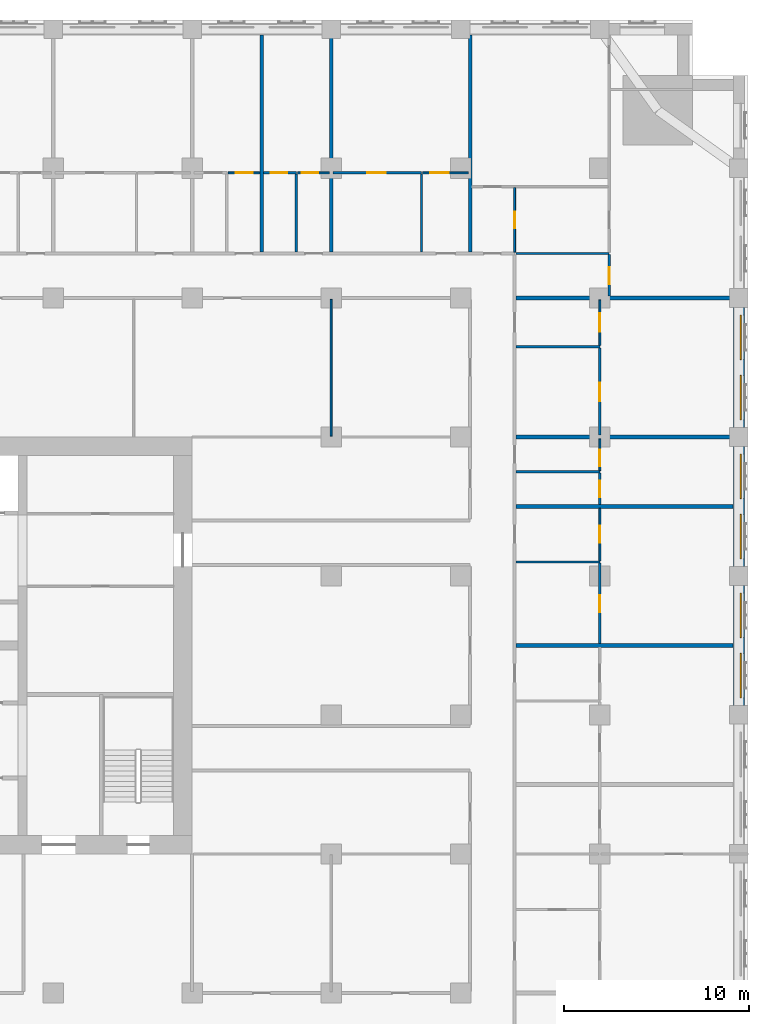
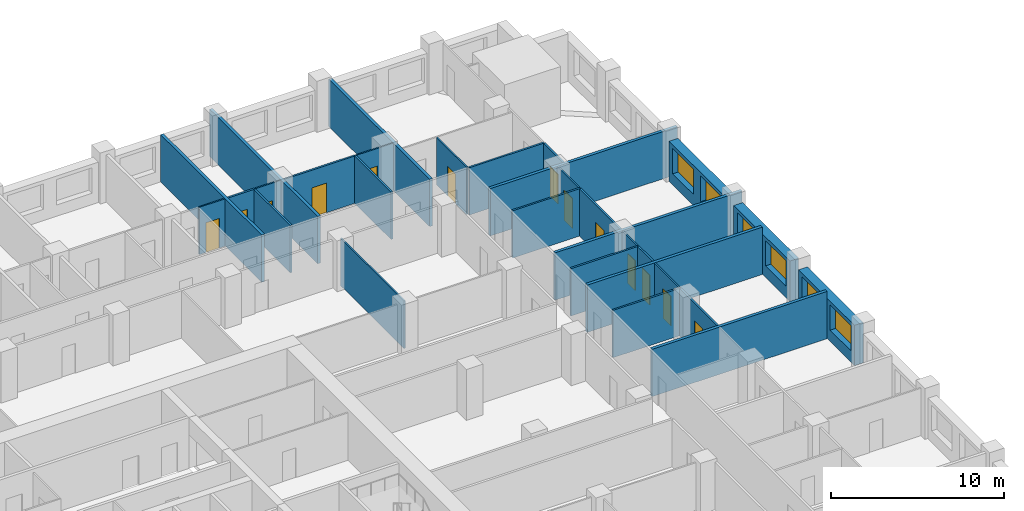
# One storey, part 10 of 14: 30 walls, 13 doors, 6 windows, 19 openings.
"""IFC4 building model written with IfcOpenShell, lengths in metres."""

from ifc_helpers import new_model, si_unit, direction, frame, frame_2d, origin, place, context, subcontext, project, spatial, rectangle, extrude, material, layer, layer_set, type_object, element, fill, save


model = new_model("IFC4")

# Units and contexts
model_context = context("Model", 3, precision=1e-05, world=origin(), true_north=direction((0.0, 1.0)))
body_context = subcontext(model_context, "Body", "Model", "MODEL_VIEW")
ifc_project = project(units=[si_unit("LENGTHUNIT", "METRE"), si_unit("AREAUNIT", "SQUARE_METRE"), si_unit("VOLUMEUNIT", "CUBIC_METRE"), si_unit("PLANEANGLEUNIT", "RADIAN"), si_unit("MASSUNIT", "GRAM", prefix="KILO")], contexts=[model_context])

# Site, building, storey
site_placement = place(None, origin())
site = spatial("IfcSite", under=ifc_project, at=site_placement, CompositionType="ELEMENT")
building_placement = place(site_placement, origin())
building = spatial("IfcBuilding", under=site, at=building_placement, Name="Tamorin Gate", CompositionType="ELEMENT")
storey_placement = place(building_placement, frame((0.0, 0.0, 107.89990234375)))
storey = spatial("IfcBuildingStorey", under=building, at=storey_placement, Name="L26", CompositionType="ELEMENT", Elevation=107.89990234375)

# Wall, openings, windows
ifc_material_1 = material(Name="Precast concrete C40/50", Category="concrete")
ifc_layer_1 = layer(ifc_material_1, 0.60009765625)
ifc_layer_set_1 = layer_set([ifc_layer_1], Name="Precast concrete C40/50")
wall_type_1 = type_object("IfcWallType", Name="Board-marked concrete facade panel 600", PredefinedType="SOLIDWALL", material=ifc_layer_set_1)
wall_1_placement = place(storey_placement, frame((89.5, 68.0, 0.0), z_axis=(0.0, 0.0, 1.0), x_axis=(0.0, 1.0, 0.0)))
wall_1 = element("IfcWall", 1, at=wall_1_placement, inside=storey, type_object=wall_type_1, Name="Facade panel", PredefinedType="SOLIDWALL", context=body_context, shape_type="SweptSolid", body=[
    extrude(rectangle(XDim=6.5, YDim=0.60009765625, at=frame_2d((3.25, 0.0))), origin(), (0.0, 0.0, 1.0), 2.85009765625),
])
opening_1_placement = place(wall_1_placement, frame((0.425048828125, 0.0, 0.800048828125)))
opening_1 = element("IfcOpeningElement", 2, at=opening_1_placement, cuts=wall_1, Name="Opening WN1", PredefinedType="OPENING", context=body_context, shape_type="SweptSolid", body=[
    extrude(rectangle(XDim=2.39990234375, YDim=1.800048828125, at=frame_2d((1.199951171875, 0.89990234375))), frame((0.0, 0.31005859375, 0.0), z_axis=(0.0, -1.0, 0.0), x_axis=(1.0, 0.0, 0.0)), (0.0, 0.0, 1.0), 0.6201171875),
])
opening_2_placement = place(wall_1_placement, frame((3.675048828125, 0.0, 0.800048828125)))
opening_2 = element("IfcOpeningElement", 3, at=opening_2_placement, cuts=wall_1, Name="Opening WN1", PredefinedType="OPENING", context=body_context, shape_type="SweptSolid", body=[
    extrude(rectangle(XDim=2.39990234375, YDim=1.800048828125, at=frame_2d((1.199951171875, 0.89990234375))), frame((0.0, 0.31005859375, 0.0), z_axis=(0.0, -1.0, 0.0), x_axis=(1.0, 0.0, 0.0)), (0.0, 0.0, 1.0), 0.6201171875),
])
ifc_material_2 = material(Name="Clear glass in aluminium frame", Category="aluminium")
window_type = type_object("IfcWindowType", Name="Deep-set window 2400x1800", PartitioningType="SINGLE_PANEL", PredefinedType="WINDOW", material=ifc_material_2)
window_1_placement = place(opening_1_placement, origin())
window_1 = element("IfcWindow", 4, at=window_1_placement, inside=storey, type_object=window_type, Name="Deep-set window", OverallHeight=1.800048828125, OverallWidth=2.39990234375, PartitioningType="SINGLE_PANEL", PredefinedType="WINDOW", context=body_context, shape_type="SweptSolid", body=[
    extrude(rectangle(XDim=2.39990234375, YDim=1.800048828125, at=frame_2d((1.199951171875, 0.89990234375))), frame((0.0, -0.070068359375, 0.0), z_axis=(0.0, -1.0, 0.0), x_axis=(1.0, 0.0, 0.0)), (0.0, 0.0, 1.0), 0.06005859375),
])
fill(opening_1, window_1)
window_2_placement = place(opening_2_placement, origin())
window_2 = element("IfcWindow", 5, at=window_2_placement, inside=storey, type_object=window_type, Name="Deep-set window", OverallHeight=1.800048828125, OverallWidth=2.39990234375, PartitioningType="SINGLE_PANEL", PredefinedType="WINDOW", context=body_context, shape_type="SweptSolid", body=[
    extrude(rectangle(XDim=2.39990234375, YDim=1.800048828125, at=frame_2d((1.199951171875, 0.89990234375))), frame((0.0, -0.070068359375, 0.0), z_axis=(0.0, -1.0, 0.0), x_axis=(1.0, 0.0, 0.0)), (0.0, 0.0, 1.0), 0.06005859375),
])
fill(opening_2, window_2)

wall_2_placement = place(storey_placement, frame((89.5, 75.5, 0.0), z_axis=(0.0, 0.0, 1.0), x_axis=(0.0, 1.0, 0.0)))
wall_2 = element("IfcWall", 6, at=wall_2_placement, inside=storey, type_object=wall_type_1, Name="Facade panel", PredefinedType="SOLIDWALL", context=body_context, shape_type="SweptSolid", body=[
    extrude(rectangle(XDim=6.5, YDim=0.60009765625, at=frame_2d((3.25, 0.0))), origin(), (0.0, 0.0, 1.0), 2.85009765625),
])
opening_3_placement = place(wall_2_placement, frame((0.425048828125, 0.0, 0.800048828125)))
opening_3 = element("IfcOpeningElement", 7, at=opening_3_placement, cuts=wall_2, Name="Opening WN1", PredefinedType="OPENING", context=body_context, shape_type="SweptSolid", body=[
    extrude(rectangle(XDim=2.39990234375, YDim=1.800048828125, at=frame_2d((1.199951171875, 0.89990234375))), frame((0.0, 0.31005859375, 0.0), z_axis=(0.0, -1.0, 0.0), x_axis=(1.0, 0.0, 0.0)), (0.0, 0.0, 1.0), 0.6201171875),
])
opening_4_placement = place(wall_2_placement, frame((3.675048828125, 0.0, 0.800048828125)))
opening_4 = element("IfcOpeningElement", 8, at=opening_4_placement, cuts=wall_2, Name="Opening WN1", PredefinedType="OPENING", context=body_context, shape_type="SweptSolid", body=[
    extrude(rectangle(XDim=2.39990234375, YDim=1.800048828125, at=frame_2d((1.199951171875, 0.89990234375))), frame((0.0, 0.31005859375, 0.0), z_axis=(0.0, -1.0, 0.0), x_axis=(1.0, 0.0, 0.0)), (0.0, 0.0, 1.0), 0.6201171875),
])
window_3_placement = place(opening_3_placement, origin())
window_3 = element("IfcWindow", 9, at=window_3_placement, inside=storey, type_object=window_type, Name="Deep-set window", OverallHeight=1.800048828125, OverallWidth=2.39990234375, PartitioningType="SINGLE_PANEL", PredefinedType="WINDOW", context=body_context, shape_type="SweptSolid", body=[
    extrude(rectangle(XDim=2.39990234375, YDim=1.800048828125, at=frame_2d((1.199951171875, 0.89990234375))), frame((0.0, -0.070068359375, 0.0), z_axis=(0.0, -1.0, 0.0), x_axis=(1.0, 0.0, 0.0)), (0.0, 0.0, 1.0), 0.06005859375),
])
fill(opening_3, window_3)
window_4_placement = place(opening_4_placement, origin())
window_4 = element("IfcWindow", 10, at=window_4_placement, inside=storey, type_object=window_type, Name="Deep-set window", OverallHeight=1.800048828125, OverallWidth=2.39990234375, PartitioningType="SINGLE_PANEL", PredefinedType="WINDOW", context=body_context, shape_type="SweptSolid", body=[
    extrude(rectangle(XDim=2.39990234375, YDim=1.800048828125, at=frame_2d((1.199951171875, 0.89990234375))), frame((0.0, -0.070068359375, 0.0), z_axis=(0.0, -1.0, 0.0), x_axis=(1.0, 0.0, 0.0)), (0.0, 0.0, 1.0), 0.06005859375),
])
fill(opening_4, window_4)

wall_3_placement = place(storey_placement, frame((89.5, 83.0, 0.0), z_axis=(0.0, 0.0, 1.0), x_axis=(0.0, 1.0, 0.0)))
wall_3 = element("IfcWall", 11, at=wall_3_placement, inside=storey, type_object=wall_type_1, Name="Facade panel", PredefinedType="SOLIDWALL", context=body_context, shape_type="SweptSolid", body=[
    extrude(rectangle(XDim=6.5, YDim=0.60009765625, at=frame_2d((3.25, 0.0))), origin(), (0.0, 0.0, 1.0), 2.85009765625),
])
opening_5_placement = place(wall_3_placement, frame((0.425048828125, 0.0, 0.800048828125)))
opening_5 = element("IfcOpeningElement", 12, at=opening_5_placement, cuts=wall_3, Name="Opening WN1", PredefinedType="OPENING", context=body_context, shape_type="SweptSolid", body=[
    extrude(rectangle(XDim=2.39990234375, YDim=1.800048828125, at=frame_2d((1.199951171875, 0.89990234375))), frame((0.0, 0.31005859375, 0.0), z_axis=(0.0, -1.0, 0.0), x_axis=(1.0, 0.0, 0.0)), (0.0, 0.0, 1.0), 0.6201171875),
])
opening_6_placement = place(wall_3_placement, frame((3.675048828125, 0.0, 0.800048828125)))
opening_6 = element("IfcOpeningElement", 13, at=opening_6_placement, cuts=wall_3, Name="Opening WN1", PredefinedType="OPENING", context=body_context, shape_type="SweptSolid", body=[
    extrude(rectangle(XDim=2.39990234375, YDim=1.800048828125, at=frame_2d((1.199951171875, 0.89990234375))), frame((0.0, 0.31005859375, 0.0), z_axis=(0.0, -1.0, 0.0), x_axis=(1.0, 0.0, 0.0)), (0.0, 0.0, 1.0), 0.6201171875),
])
window_5_placement = place(opening_5_placement, origin())
window_5 = element("IfcWindow", 14, at=window_5_placement, inside=storey, type_object=window_type, Name="Deep-set window", OverallHeight=1.800048828125, OverallWidth=2.39990234375, PartitioningType="SINGLE_PANEL", PredefinedType="WINDOW", context=body_context, shape_type="SweptSolid", body=[
    extrude(rectangle(XDim=2.39990234375, YDim=1.800048828125, at=frame_2d((1.199951171875, 0.89990234375))), frame((0.0, -0.070068359375, 0.0), z_axis=(0.0, -1.0, 0.0), x_axis=(1.0, 0.0, 0.0)), (0.0, 0.0, 1.0), 0.06005859375),
])
fill(opening_5, window_5)
window_6_placement = place(opening_6_placement, origin())
window_6 = element("IfcWindow", 15, at=window_6_placement, inside=storey, type_object=window_type, Name="Deep-set window", OverallHeight=1.800048828125, OverallWidth=2.39990234375, PartitioningType="SINGLE_PANEL", PredefinedType="WINDOW", context=body_context, shape_type="SweptSolid", body=[
    extrude(rectangle(XDim=2.39990234375, YDim=1.800048828125, at=frame_2d((1.199951171875, 0.89990234375))), frame((0.0, -0.070068359375, 0.0), z_axis=(0.0, -1.0, 0.0), x_axis=(1.0, 0.0, 0.0)), (0.0, 0.0, 1.0), 0.06005859375),
])
fill(opening_6, window_6)

# Walls
ifc_material_3 = material(Name="Gypsum board partition")
ifc_layer_2 = layer(ifc_material_3, 0.199951171875)
ifc_layer_set_2 = layer_set([ifc_layer_2], Name="Demising wall 200")
wall_type_2 = type_object("IfcWallType", Name="Demising wall 200", PredefinedType="PARTITIONING", material=ifc_layer_set_2)
for number, where, z_axis, x_axis, name in (
    (16, (77.47509765625, 71.25, 0.0), (0.0, 0.0, 1.0), (1.0, 0.0, 0.0), "Demising wall 200"),
    (17, (77.47509765625, 78.75, 0.0), (0.0, 0.0, 1.0), (1.0, 0.0, 0.0), "Demising wall 200"),
):
    element("IfcWall", number, at=place(storey_placement, frame(where, z_axis=z_axis, x_axis=x_axis)), inside=storey, type_object=wall_type_2, Name=name, PredefinedType="PARTITIONING", context=body_context, shape_type="SweptSolid", body=[
        extrude(rectangle(XDim=11.71484375, YDim=0.199951171875, at=frame_2d((5.857421875, 0.0))), origin(), (0.0, 0.0, 1.0), 3.35009765625),
    ])
for number, where, z_axis, x_axis, name in (
    (18, (77.47509765625, 82.5, 0.0), (0.0, 0.0, 1.0), (1.0, 0.0, 0.0), "Demising wall 200"),
    (19, (77.47509765625, 90.0, 0.0), (0.0, 0.0, 1.0), (1.0, 0.0, 0.0), "Demising wall 200"),
):
    element("IfcWall", number, at=place(storey_placement, frame(where, z_axis=z_axis, x_axis=x_axis)), inside=storey, type_object=wall_type_2, Name=name, PredefinedType="PARTITIONING", context=body_context, shape_type="SweptSolid", body=[
        extrude(rectangle(XDim=12.52490234375, YDim=0.199951171875, at=frame_2d((6.262451171875, 0.0))), origin(), (0.0, 0.0, 1.0), 3.35009765625),
    ])
wall_4_placement = place(storey_placement, frame((63.75, 92.47509765625, 0.0), z_axis=(0.0, 0.0, 1.0), x_axis=(0.0, 1.0, 0.0)))
element("IfcWall", 20, at=wall_4_placement, inside=storey, type_object=wall_type_2, Name="Demising wall 200", PredefinedType="PARTITIONING", context=body_context, shape_type="SweptSolid", body=[
    extrude(rectangle(XDim=11.71484375, YDim=0.199951171875, at=frame_2d((5.857421875, 0.0))), origin(), (0.0, 0.0, 1.0), 3.35009765625),
])
wall_5_placement = place(storey_placement, frame((67.5, 92.47509765625, 0.0), z_axis=(0.0, 0.0, 1.0), x_axis=(0.0, 1.0, 0.0)))
element("IfcWall", 21, at=wall_5_placement, inside=storey, type_object=wall_type_2, Name="Demising wall 200", PredefinedType="PARTITIONING", context=body_context, shape_type="SweptSolid", body=[
    extrude(rectangle(XDim=12.52490234375, YDim=0.199951171875, at=frame_2d((6.262451171875, 0.0))), origin(), (0.0, 0.0, 1.0), 3.35009765625),
])
wall_6_placement = place(storey_placement, frame((75.0, 92.47509765625, 0.0), z_axis=(0.0, 0.0, 1.0), x_axis=(0.0, 1.0, 0.0)))
element("IfcWall", 22, at=wall_6_placement, inside=storey, type_object=wall_type_2, Name="Demising wall 200", PredefinedType="PARTITIONING", context=body_context, shape_type="SweptSolid", body=[
    extrude(rectangle(XDim=11.71484375, YDim=0.199951171875, at=frame_2d((5.857421875, 0.0))), origin(), (0.0, 0.0, 1.0), 3.35009765625),
])

# Wall, opening, door
ifc_layer_3 = layer(ifc_material_3, 0.10009765625)
ifc_layer_set_3 = layer_set([ifc_layer_3], Name="Room partition 100")
wall_type_3 = type_object("IfcWallType", Name="Room partition 100", PredefinedType="PARTITIONING", material=ifc_layer_set_3)
wall_7_placement = place(storey_placement, frame((61.9375, 96.75, 0.0), z_axis=(0.0, 0.0, 1.0), x_axis=(1.0, 0.0, 0.0)))
wall_7 = element("IfcWall", 23, at=wall_7_placement, inside=storey, type_object=wall_type_3, Name="Room partition 100", PredefinedType="PARTITIONING", context=body_context, shape_type="SweptSolid", body=[
    extrude(rectangle(XDim=1.71240234375, YDim=0.10009765625, at=frame_2d((0.856201171875, 0.0))), origin(), (0.0, 0.0, 1.0), 3.35009765625),
])
opening_7_placement = place(wall_7_placement, frame((0.425048828125, 0.0, 0.0)))
opening_7 = element("IfcOpeningElement", 24, at=opening_7_placement, cuts=wall_7, Name="Opening DH5036", PredefinedType="OPENING", context=body_context, shape_type="SweptSolid", body=[
    extrude(rectangle(XDim=0.89990234375, YDim=2.10009765625, at=frame_2d((0.449951171875, 1.050048828125))), frame((0.0, 0.06005859375, 0.0), z_axis=(0.0, -1.0, 0.0), x_axis=(1.0, 0.0, 0.0)), (0.0, 0.0, 1.0), 0.1201171875),
])
ifc_material_4 = material(Name="Timber door leaf", Category="wood")
door_type_1 = type_object("IfcDoorType", Name="Door 900 x 2100", OperationType="NOTDEFINED", PredefinedType="DOOR", material=ifc_material_4)
door_1_placement = place(opening_7_placement, origin())
door_1 = element("IfcDoor", 25, at=door_1_placement, inside=storey, type_object=door_type_1, Name="Door DH5036", OperationType="SINGLE_SWING_RIGHT", OverallHeight=2.10009765625, OverallWidth=0.89990234375, PredefinedType="DOOR", context=body_context, shape_type="SweptSolid", body=[
    extrude(rectangle(XDim=0.89990234375, YDim=2.10009765625, at=frame_2d((0.449951171875, 1.050048828125))), frame((0.0, 0.02490234375, 0.0), z_axis=(0.0, -1.0, 0.0), x_axis=(1.0, 0.0, 0.0)), (0.0, 0.0, 1.0), 0.050048828125),
])
fill(opening_7, door_1)

wall_8_placement = place(storey_placement, frame((65.6875, 96.75, 0.0), z_axis=(0.0, 0.0, 1.0), x_axis=(1.0, 0.0, 0.0)))
wall_8 = element("IfcWall", 26, at=wall_8_placement, inside=storey, type_object=wall_type_3, Name="Room partition 100", PredefinedType="PARTITIONING", context=body_context, shape_type="SweptSolid", body=[
    extrude(rectangle(XDim=1.71240234375, YDim=0.10009765625, at=frame_2d((0.856201171875, 0.0))), origin(), (0.0, 0.0, 1.0), 3.35009765625),
])
opening_8_placement = place(wall_8_placement, frame((0.22509765625, 0.0, 0.0)))
opening_8 = element("IfcOpeningElement", 27, at=opening_8_placement, cuts=wall_8, Name="Opening DH5039", PredefinedType="OPENING", context=body_context, shape_type="SweptSolid", body=[
    extrude(rectangle(XDim=0.89990234375, YDim=2.10009765625, at=frame_2d((0.449951171875, 1.050048828125))), frame((0.0, 0.06005859375, 0.0), z_axis=(0.0, -1.0, 0.0), x_axis=(1.0, 0.0, 0.0)), (0.0, 0.0, 1.0), 0.1201171875),
])
door_2_placement = place(opening_8_placement, origin())
door_2 = element("IfcDoor", 28, at=door_2_placement, inside=storey, type_object=door_type_1, Name="Door DH5039", OperationType="SINGLE_SWING_RIGHT", OverallHeight=2.10009765625, OverallWidth=0.89990234375, PredefinedType="DOOR", context=body_context, shape_type="SweptSolid", body=[
    extrude(rectangle(XDim=0.89990234375, YDim=2.10009765625, at=frame_2d((0.449951171875, 1.050048828125))), frame((0.0, 0.02490234375, 0.0), z_axis=(0.0, -1.0, 0.0), x_axis=(1.0, 0.0, 0.0)), (0.0, 0.0, 1.0), 0.050048828125),
])
fill(opening_8, door_2)

wall_9_placement = place(storey_placement, frame((72.4375, 96.75, 0.0), z_axis=(0.0, 0.0, 1.0), x_axis=(1.0, 0.0, 0.0)))
wall_9 = element("IfcWall", 29, at=wall_9_placement, inside=storey, type_object=wall_type_3, Name="Room partition 100", PredefinedType="PARTITIONING", context=body_context, shape_type="SweptSolid", body=[
    extrude(rectangle(XDim=2.46240234375, YDim=0.10009765625, at=frame_2d((1.231201171875, 0.0))), origin(), (0.0, 0.0, 1.0), 3.35009765625),
])
opening_9_placement = place(wall_9_placement, frame((0.39990234375, 0.0, 0.0)))
opening_9 = element("IfcOpeningElement", 30, at=opening_9_placement, cuts=wall_9, Name="Opening DH5042", PredefinedType="OPENING", context=body_context, shape_type="SweptSolid", body=[
    extrude(rectangle(XDim=1.0, YDim=2.10009765625, at=frame_2d((0.5, 1.050048828125))), frame((0.0, 0.06005859375, 0.0), z_axis=(0.0, -1.0, 0.0), x_axis=(1.0, 0.0, 0.0)), (0.0, 0.0, 1.0), 0.1201171875),
])
door_type_2 = type_object("IfcDoorType", Name="Door 1000 x 2100", OperationType="NOTDEFINED", PredefinedType="DOOR", material=ifc_material_4)
door_3_placement = place(opening_9_placement, origin())
door_3 = element("IfcDoor", 31, at=door_3_placement, inside=storey, type_object=door_type_2, Name="Door DH5042", OperationType="SINGLE_SWING_RIGHT", OverallHeight=2.10009765625, OverallWidth=1.0, PredefinedType="DOOR", context=body_context, shape_type="SweptSolid", body=[
    extrude(rectangle(XDim=1.0, YDim=2.10009765625, at=frame_2d((0.5, 1.050048828125))), frame((0.0, 0.02490234375, 0.0), z_axis=(0.0, -1.0, 0.0), x_axis=(1.0, 0.0, 0.0)), (0.0, 0.0, 1.0), 0.050048828125),
])
fill(opening_9, door_3)

# Wall
wall_10_placement = place(storey_placement, frame((67.5, 82.550048828125, 0.0), z_axis=(0.0, 0.0, 1.0), x_axis=(0.0, 1.0, 0.0)))
element("IfcWall", 32, at=wall_10_placement, inside=storey, type_object=wall_type_3, Name="Room partition 100", PredefinedType="PARTITIONING", context=body_context, shape_type="SweptSolid", body=[
    extrude(rectangle(XDim=7.375, YDim=0.10009765625, at=frame_2d((3.6875, 0.0))), origin(), (0.0, 0.0, 1.0), 3.35009765625),
])

# Wall, opening, door
wall_11_placement = place(storey_placement, frame((77.39990234375, 92.47509765625, 0.0), z_axis=(0.0, 0.0, 1.0), x_axis=(0.0, 1.0, 0.0)))
wall_11 = element("IfcWall", 33, at=wall_11_placement, inside=storey, type_object=wall_type_3, Name="Room partition 100", PredefinedType="PARTITIONING", context=body_context, shape_type="SweptSolid", body=[
    extrude(rectangle(XDim=3.474853515625, YDim=0.10009765625, at=frame_2d((1.7373046875, 0.0))), origin(), (0.0, 0.0, 1.0), 3.35009765625),
])
opening_10_placement = place(wall_11_placement, frame((1.27490234375, 0.0, 0.0)))
opening_10 = element("IfcOpeningElement", 34, at=opening_10_placement, cuts=wall_11, Name="Opening DH5068", PredefinedType="OPENING", context=body_context, shape_type="SweptSolid", body=[
    extrude(rectangle(XDim=0.89990234375, YDim=2.10009765625, at=frame_2d((0.449951171875, 1.050048828125))), frame((0.0, 0.06005859375, 0.0), z_axis=(0.0, -1.0, 0.0), x_axis=(1.0, 0.0, 0.0)), (0.0, 0.0, 1.0), 0.1201171875),
])
door_4_placement = place(opening_10_placement, origin())
door_4 = element("IfcDoor", 35, at=door_4_placement, inside=storey, type_object=door_type_1, Name="Door DH5068", OperationType="SINGLE_SWING_RIGHT", OverallHeight=2.10009765625, OverallWidth=0.89990234375, PredefinedType="DOOR", context=body_context, shape_type="SweptSolid", body=[
    extrude(rectangle(XDim=0.89990234375, YDim=2.10009765625, at=frame_2d((0.449951171875, 1.050048828125))), frame((0.0, 0.02490234375, 0.0), z_axis=(0.0, -1.0, 0.0), x_axis=(1.0, 0.0, 0.0)), (0.0, 0.0, 1.0), 0.050048828125),
])
fill(opening_10, door_4)

wall_12_placement = place(storey_placement, frame((82.0, 75.8125, 0.0), z_axis=(0.0, 0.0, 1.0), x_axis=(0.0, 1.0, 0.0)))
wall_12 = element("IfcWall", 36, at=wall_12_placement, inside=storey, type_object=wall_type_3, Name="Room partition 100", PredefinedType="PARTITIONING", context=body_context, shape_type="SweptSolid", body=[
    extrude(rectangle(XDim=2.83740234375, YDim=0.10009765625, at=frame_2d((1.418701171875, 0.0))), origin(), (0.0, 0.0, 1.0), 3.35009765625),
])
opening_11_placement = place(wall_12_placement, frame((0.987548828125, 0.0, 0.0)))
opening_11 = element("IfcOpeningElement", 37, at=opening_11_placement, cuts=wall_12, Name="Opening DH5053", PredefinedType="OPENING", context=body_context, shape_type="SweptSolid", body=[
    extrude(rectangle(XDim=0.89990234375, YDim=2.10009765625, at=frame_2d((0.449951171875, 1.050048828125))), frame((0.0, 0.06005859375, 0.0), z_axis=(0.0, -1.0, 0.0), x_axis=(1.0, 0.0, 0.0)), (0.0, 0.0, 1.0), 0.1201171875),
])
door_5_placement = place(opening_11_placement, origin())
door_5 = element("IfcDoor", 38, at=door_5_placement, inside=storey, type_object=door_type_1, Name="Door DH5053", OperationType="SINGLE_SWING_LEFT", OverallHeight=2.10009765625, OverallWidth=0.89990234375, PredefinedType="DOOR", context=body_context, shape_type="SweptSolid", body=[
    extrude(rectangle(XDim=0.89990234375, YDim=2.10009765625, at=frame_2d((0.449951171875, 1.050048828125))), frame((0.0, 0.02490234375, 0.0), z_axis=(0.0, -1.0, 0.0), x_axis=(1.0, 0.0, 0.0)), (0.0, 0.0, 1.0), 0.050048828125),
])
fill(opening_11, door_5)

wall_13_placement = place(storey_placement, frame((82.0, 80.6875, 0.0), z_axis=(0.0, 0.0, 1.0), x_axis=(0.0, 1.0, 0.0)))
wall_13 = element("IfcWall", 39, at=wall_13_placement, inside=storey, type_object=wall_type_3, Name="Room partition 100", PredefinedType="PARTITIONING", context=body_context, shape_type="SweptSolid", body=[
    extrude(rectangle(XDim=1.71240234375, YDim=0.10009765625, at=frame_2d((0.856201171875, 0.0))), origin(), (0.0, 0.0, 1.0), 3.35009765625),
])
opening_12_placement = place(wall_13_placement, frame((0.22509765625, 0.0, 0.0)))
opening_12 = element("IfcOpeningElement", 40, at=opening_12_placement, cuts=wall_13, Name="Opening DH5056", PredefinedType="OPENING", context=body_context, shape_type="SweptSolid", body=[
    extrude(rectangle(XDim=0.89990234375, YDim=2.10009765625, at=frame_2d((0.449951171875, 1.050048828125))), frame((0.0, 0.06005859375, 0.0), z_axis=(0.0, -1.0, 0.0), x_axis=(1.0, 0.0, 0.0)), (0.0, 0.0, 1.0), 0.1201171875),
])
door_6_placement = place(opening_12_placement, origin())
door_6 = element("IfcDoor", 41, at=door_6_placement, inside=storey, type_object=door_type_1, Name="Door DH5056", OperationType="SINGLE_SWING_LEFT", OverallHeight=2.10009765625, OverallWidth=0.89990234375, PredefinedType="DOOR", context=body_context, shape_type="SweptSolid", body=[
    extrude(rectangle(XDim=0.89990234375, YDim=2.10009765625, at=frame_2d((0.449951171875, 1.050048828125))), frame((0.0, 0.02490234375, 0.0), z_axis=(0.0, -1.0, 0.0), x_axis=(1.0, 0.0, 0.0)), (0.0, 0.0, 1.0), 0.050048828125),
])
fill(opening_12, door_6)

wall_14_placement = place(storey_placement, frame((82.0, 87.4375, 0.0), z_axis=(0.0, 0.0, 1.0), x_axis=(0.0, 1.0, 0.0)))
wall_14 = element("IfcWall", 42, at=wall_14_placement, inside=storey, type_object=wall_type_3, Name="Room partition 100", PredefinedType="PARTITIONING", context=body_context, shape_type="SweptSolid", body=[
    extrude(rectangle(XDim=2.46240234375, YDim=0.10009765625, at=frame_2d((1.231201171875, 0.0))), origin(), (0.0, 0.0, 1.0), 3.35009765625),
])
opening_13_placement = place(wall_14_placement, frame((0.75, 0.0, 0.0)))
opening_13 = element("IfcOpeningElement", 43, at=opening_13_placement, cuts=wall_14, Name="Opening DH5059", PredefinedType="OPENING", context=body_context, shape_type="SweptSolid", body=[
    extrude(rectangle(XDim=1.0, YDim=2.10009765625, at=frame_2d((0.5, 1.050048828125))), frame((0.0, 0.06005859375, 0.0), z_axis=(0.0, -1.0, 0.0), x_axis=(1.0, 0.0, 0.0)), (0.0, 0.0, 1.0), 0.1201171875),
])
door_7_placement = place(opening_13_placement, origin())
door_7 = element("IfcDoor", 44, at=door_7_placement, inside=storey, type_object=door_type_2, Name="Door DH5059", OperationType="SINGLE_SWING_LEFT", OverallHeight=2.10009765625, OverallWidth=1.0, PredefinedType="DOOR", context=body_context, shape_type="SweptSolid", body=[
    extrude(rectangle(XDim=1.0, YDim=2.10009765625, at=frame_2d((0.5, 1.050048828125))), frame((0.0, 0.02490234375, 0.0), z_axis=(0.0, -1.0, 0.0), x_axis=(1.0, 0.0, 0.0)), (0.0, 0.0, 1.0), 0.050048828125),
])
fill(opening_13, door_7)

# Walls
ifc_layer_4 = layer(ifc_material_3, 0.125)
ifc_layer_set_4 = layer_set([ifc_layer_4], Name="Wet wall 125")
wall_type_4 = type_object("IfcWallType", Name="Wet wall 125", PredefinedType="PARTITIONING", material=ifc_layer_set_4)
for number, where, z_axis, x_axis, name in (
    (45, (77.47509765625, 75.75, 0.0), (0.0, 0.0, 1.0), (1.0, 0.0, 0.0), "Wet wall 125"),
    (46, (77.47509765625, 80.625, 0.0), (0.0, 0.0, 1.0), (1.0, 0.0, 0.0), "Wet wall 125"),
    (47, (77.47509765625, 87.375, 0.0), (0.0, 0.0, 1.0), (1.0, 0.0, 0.0), "Wet wall 125"),
):
    element("IfcWall", number, at=place(storey_placement, frame(where, z_axis=z_axis, x_axis=x_axis)), inside=storey, type_object=wall_type_4, Name=name, PredefinedType="PARTITIONING", context=body_context, shape_type="SweptSolid", body=[
        extrude(rectangle(XDim=4.52490234375, YDim=0.125, at=frame_2d((2.262451171875, 0.0))), origin(), (0.0, 0.0, 1.0), 3.35009765625),
    ])
wall_15_placement = place(storey_placement, frame((77.47509765625, 92.39990234375, 0.0), z_axis=(0.0, 0.0, 1.0), x_axis=(1.0, 0.0, 0.0)))
element("IfcWall", 48, at=wall_15_placement, inside=storey, type_object=wall_type_4, Name="Wet wall 125", PredefinedType="PARTITIONING", context=body_context, shape_type="SweptSolid", body=[
    extrude(rectangle(XDim=5.02490234375, YDim=0.125, at=frame_2d((2.512451171875, 0.0))), origin(), (0.0, 0.0, 1.0), 3.35009765625),
])

# Wall, opening, door
wall_16_placement = place(storey_placement, frame((63.85009765625, 96.75, 0.0), z_axis=(0.0, 0.0, 1.0), x_axis=(1.0, 0.0, 0.0)))
wall_16 = element("IfcWall", 49, at=wall_16_placement, inside=storey, type_object=wall_type_4, Name="Wet wall 125", PredefinedType="PARTITIONING", context=body_context, shape_type="SweptSolid", body=[
    extrude(rectangle(XDim=1.77490234375, YDim=0.125, at=frame_2d((0.887451171875, 0.0))), origin(), (0.0, 0.0, 1.0), 3.35009765625),
])
opening_14_placement = place(wall_16_placement, frame((0.387451171875, 0.0, 0.0)))
opening_14 = element("IfcOpeningElement", 50, at=opening_14_placement, cuts=wall_16, Name="Opening DH5037", PredefinedType="OPENING", context=body_context, shape_type="SweptSolid", body=[
    extrude(rectangle(XDim=0.89990234375, YDim=2.10009765625, at=frame_2d((0.449951171875, 1.050048828125))), frame((0.0, 0.072509765625, 0.0), z_axis=(0.0, -1.0, 0.0), x_axis=(1.0, 0.0, 0.0)), (0.0, 0.0, 1.0), 0.14501953125),
])
door_8_placement = place(opening_14_placement, origin())
door_8 = element("IfcDoor", 51, at=door_8_placement, inside=storey, type_object=door_type_1, Name="Door DH5037", OperationType="SINGLE_SWING_RIGHT", OverallHeight=2.10009765625, OverallWidth=0.89990234375, PredefinedType="DOOR", context=body_context, shape_type="SweptSolid", body=[
    extrude(rectangle(XDim=0.89990234375, YDim=2.10009765625, at=frame_2d((0.449951171875, 1.050048828125))), frame((0.0, 0.02490234375, 0.0), z_axis=(0.0, -1.0, 0.0), x_axis=(1.0, 0.0, 0.0)), (0.0, 0.0, 1.0), 0.050048828125),
])
fill(opening_14, door_8)

wall_17_placement = place(storey_placement, frame((67.60009765625, 96.75, 0.0), z_axis=(0.0, 0.0, 1.0), x_axis=(1.0, 0.0, 0.0)))
wall_17 = element("IfcWall", 52, at=wall_17_placement, inside=storey, type_object=wall_type_4, Name="Wet wall 125", PredefinedType="PARTITIONING", context=body_context, shape_type="SweptSolid", body=[
    extrude(rectangle(XDim=4.77490234375, YDim=0.125, at=frame_2d((2.387451171875, 0.0))), origin(), (0.0, 0.0, 1.0), 3.35009765625),
])
opening_15_placement = place(wall_17_placement, frame((1.83740234375, 0.0, 0.0)))
opening_15 = element("IfcOpeningElement", 53, at=opening_15_placement, cuts=wall_17, Name="Opening DH5040", PredefinedType="OPENING", context=body_context, shape_type="SweptSolid", body=[
    extrude(rectangle(XDim=1.0, YDim=2.10009765625, at=frame_2d((0.5, 1.050048828125))), frame((0.0, 0.072509765625, 0.0), z_axis=(0.0, -1.0, 0.0), x_axis=(1.0, 0.0, 0.0)), (0.0, 0.0, 1.0), 0.14501953125),
])
door_9_placement = place(opening_15_placement, origin())
door_9 = element("IfcDoor", 54, at=door_9_placement, inside=storey, type_object=door_type_2, Name="Door DH5040", OperationType="SINGLE_SWING_RIGHT", OverallHeight=2.10009765625, OverallWidth=1.0, PredefinedType="DOOR", context=body_context, shape_type="SweptSolid", body=[
    extrude(rectangle(XDim=1.0, YDim=2.10009765625, at=frame_2d((0.5, 1.050048828125))), frame((0.0, 0.02490234375, 0.0), z_axis=(0.0, -1.0, 0.0), x_axis=(1.0, 0.0, 0.0)), (0.0, 0.0, 1.0), 0.050048828125),
])
fill(opening_15, door_9)

# Walls
for number, where, z_axis, x_axis, name in (
    (55, (65.625, 92.47509765625, 0.0), (0.0, 0.0, 1.0), (0.0, 1.0, 0.0), "Wet wall 125"),
    (56, (72.375, 92.47509765625, 0.0), (0.0, 0.0, 1.0), (0.0, 1.0, 0.0), "Wet wall 125"),
):
    element("IfcWall", number, at=place(storey_placement, frame(where, z_axis=z_axis, x_axis=x_axis)), inside=storey, type_object=wall_type_4, Name=name, PredefinedType="PARTITIONING", context=body_context, shape_type="SweptSolid", body=[
        extrude(rectangle(XDim=4.21240234375, YDim=0.125, at=frame_2d((2.106201171875, 0.0))), origin(), (0.0, 0.0, 1.0), 3.35009765625),
    ])

# Wall, opening, door
wall_18_placement = place(storey_placement, frame((82.0, 71.35009765625, 0.0), z_axis=(0.0, 0.0, 1.0), x_axis=(0.0, 1.0, 0.0)))
wall_18 = element("IfcWall", 57, at=wall_18_placement, inside=storey, type_object=wall_type_4, Name="Wet wall 125", PredefinedType="PARTITIONING", context=body_context, shape_type="SweptSolid", body=[
    extrude(rectangle(XDim=4.33740234375, YDim=0.125, at=frame_2d((2.168701171875, 0.0))), origin(), (0.0, 0.0, 1.0), 3.35009765625),
])
opening_16_placement = place(wall_18_placement, frame((1.699951171875, 0.0, 0.0)))
opening_16 = element("IfcOpeningElement", 58, at=opening_16_placement, cuts=wall_18, Name="Opening DH5051", PredefinedType="OPENING", context=body_context, shape_type="SweptSolid", body=[
    extrude(rectangle(XDim=0.89990234375, YDim=2.10009765625, at=frame_2d((0.449951171875, 1.050048828125))), frame((0.0, 0.072509765625, 0.0), z_axis=(0.0, -1.0, 0.0), x_axis=(1.0, 0.0, 0.0)), (0.0, 0.0, 1.0), 0.14501953125),
])
door_10_placement = place(opening_16_placement, origin())
door_10 = element("IfcDoor", 59, at=door_10_placement, inside=storey, type_object=door_type_1, Name="Door DH5051", OperationType="SINGLE_SWING_LEFT", OverallHeight=2.10009765625, OverallWidth=0.89990234375, PredefinedType="DOOR", context=body_context, shape_type="SweptSolid", body=[
    extrude(rectangle(XDim=0.89990234375, YDim=2.10009765625, at=frame_2d((0.449951171875, 1.050048828125))), frame((0.0, 0.02490234375, 0.0), z_axis=(0.0, -1.0, 0.0), x_axis=(1.0, 0.0, 0.0)), (0.0, 0.0, 1.0), 0.050048828125),
])
fill(opening_16, door_10)

wall_19_placement = place(storey_placement, frame((82.0, 78.85009765625, 0.0), z_axis=(0.0, 0.0, 1.0), x_axis=(0.0, 1.0, 0.0)))
wall_19 = element("IfcWall", 60, at=wall_19_placement, inside=storey, type_object=wall_type_4, Name="Wet wall 125", PredefinedType="PARTITIONING", context=body_context, shape_type="SweptSolid", body=[
    extrude(rectangle(XDim=1.71240234375, YDim=0.125, at=frame_2d((0.856201171875, 0.0))), origin(), (0.0, 0.0, 1.0), 3.35009765625),
])
opening_17_placement = place(wall_19_placement, frame((0.387451171875, 0.0, 0.0)))
opening_17 = element("IfcOpeningElement", 61, at=opening_17_placement, cuts=wall_19, Name="Opening DH5054", PredefinedType="OPENING", context=body_context, shape_type="SweptSolid", body=[
    extrude(rectangle(XDim=0.89990234375, YDim=2.10009765625, at=frame_2d((0.449951171875, 1.050048828125))), frame((0.0, 0.072509765625, 0.0), z_axis=(0.0, -1.0, 0.0), x_axis=(1.0, 0.0, 0.0)), (0.0, 0.0, 1.0), 0.14501953125),
])
door_11_placement = place(opening_17_placement, origin())
door_11 = element("IfcDoor", 62, at=door_11_placement, inside=storey, type_object=door_type_1, Name="Door DH5054", OperationType="SINGLE_SWING_LEFT", OverallHeight=2.10009765625, OverallWidth=0.89990234375, PredefinedType="DOOR", context=body_context, shape_type="SweptSolid", body=[
    extrude(rectangle(XDim=0.89990234375, YDim=2.10009765625, at=frame_2d((0.449951171875, 1.050048828125))), frame((0.0, 0.02490234375, 0.0), z_axis=(0.0, -1.0, 0.0), x_axis=(1.0, 0.0, 0.0)), (0.0, 0.0, 1.0), 0.050048828125),
])
fill(opening_17, door_11)

wall_20_placement = place(storey_placement, frame((82.0, 82.60009765625, 0.0), z_axis=(0.0, 0.0, 1.0), x_axis=(0.0, 1.0, 0.0)))
wall_20 = element("IfcWall", 63, at=wall_20_placement, inside=storey, type_object=wall_type_4, Name="Wet wall 125", PredefinedType="PARTITIONING", context=body_context, shape_type="SweptSolid", body=[
    extrude(rectangle(XDim=4.71240234375, YDim=0.125, at=frame_2d((2.356201171875, 0.0))), origin(), (0.0, 0.0, 1.0), 3.35009765625),
])
opening_18_placement = place(wall_20_placement, frame((1.83740234375, 0.0, 0.0)))
opening_18 = element("IfcOpeningElement", 64, at=opening_18_placement, cuts=wall_20, Name="Opening DH5057", PredefinedType="OPENING", context=body_context, shape_type="SweptSolid", body=[
    extrude(rectangle(XDim=1.0, YDim=2.10009765625, at=frame_2d((0.5, 1.050048828125))), frame((0.0, 0.072509765625, 0.0), z_axis=(0.0, -1.0, 0.0), x_axis=(1.0, 0.0, 0.0)), (0.0, 0.0, 1.0), 0.14501953125),
])
door_12_placement = place(opening_18_placement, origin())
door_12 = element("IfcDoor", 65, at=door_12_placement, inside=storey, type_object=door_type_2, Name="Door DH5057", OperationType="SINGLE_SWING_LEFT", OverallHeight=2.10009765625, OverallWidth=1.0, PredefinedType="DOOR", context=body_context, shape_type="SweptSolid", body=[
    extrude(rectangle(XDim=1.0, YDim=2.10009765625, at=frame_2d((0.5, 1.050048828125))), frame((0.0, 0.02490234375, 0.0), z_axis=(0.0, -1.0, 0.0), x_axis=(1.0, 0.0, 0.0)), (0.0, 0.0, 1.0), 0.050048828125),
])
fill(opening_18, door_12)

wall_21_placement = place(storey_placement, frame((82.5, 90.10009765625, 0.0), z_axis=(0.0, 0.0, 1.0), x_axis=(0.0, 1.0, 0.0)))
wall_21 = element("IfcWall", 66, at=wall_21_placement, inside=storey, type_object=wall_type_4, Name="Wet wall 125", PredefinedType="PARTITIONING", context=body_context, shape_type="SweptSolid", body=[
    extrude(rectangle(XDim=2.2373046875, YDim=0.125, at=frame_2d((1.11865234375, 0.0))), origin(), (0.0, 0.0, 1.0), 3.35009765625),
])
opening_19_placement = place(wall_21_placement, frame((0.64990234375, 0.0, 0.0)))
opening_19 = element("IfcOpeningElement", 67, at=opening_19_placement, cuts=wall_21, Name="Opening DH5071", PredefinedType="OPENING", context=body_context, shape_type="SweptSolid", body=[
    extrude(rectangle(XDim=0.89990234375, YDim=2.10009765625, at=frame_2d((0.449951171875, 1.050048828125))), frame((0.0, 0.072509765625, 0.0), z_axis=(0.0, -1.0, 0.0), x_axis=(1.0, 0.0, 0.0)), (0.0, 0.0, 1.0), 0.14501953125),
])
door_13_placement = place(opening_19_placement, origin())
door_13 = element("IfcDoor", 68, at=door_13_placement, inside=storey, type_object=door_type_1, Name="Door DH5071", OperationType="SINGLE_SWING_LEFT", OverallHeight=2.10009765625, OverallWidth=0.89990234375, PredefinedType="DOOR", context=body_context, shape_type="SweptSolid", body=[
    extrude(rectangle(XDim=0.89990234375, YDim=2.10009765625, at=frame_2d((0.449951171875, 1.050048828125))), frame((0.0, 0.02490234375, 0.0), z_axis=(0.0, -1.0, 0.0), x_axis=(1.0, 0.0, 0.0)), (0.0, 0.0, 1.0), 0.050048828125),
])
fill(opening_19, door_13)

save(model, "model.ifc")
